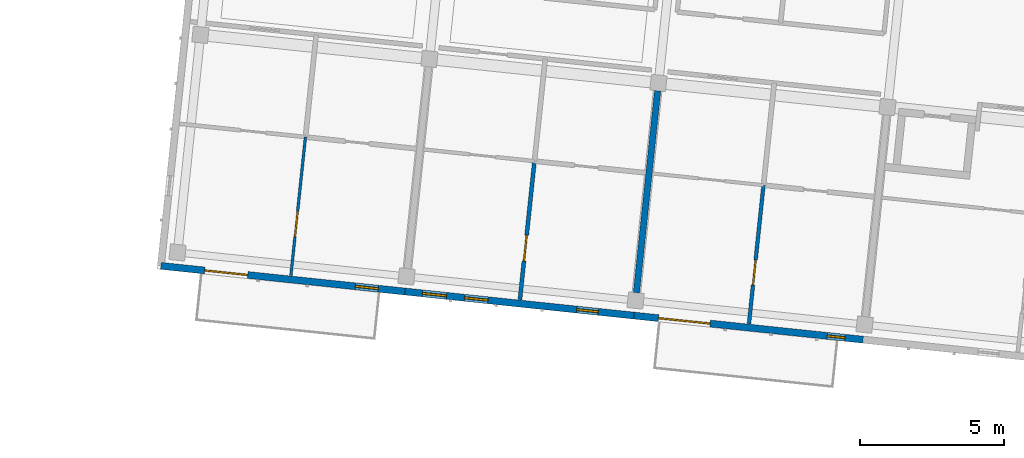
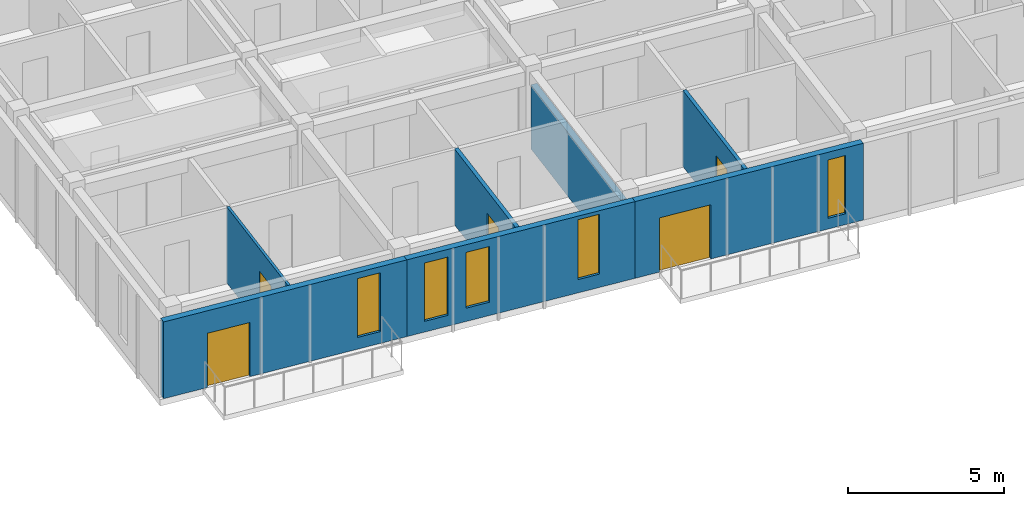
# One storey, part 30 of 66: 7 walls, 5 doors, 5 windows, 10 openings.
"""IFC4 building model written with IfcOpenShell, lengths in metres."""

import ifcopenshell
import ifcopenshell.guid

model = None  # the IFC model being written
_history = None  # IfcOwnerHistory: only IFC2X3 demands one
_inside = {}  # id of a spatial element -> (the spatial element, [elements in it])
_under = {}  # id of a project, library or spatial element -> (it, [spatial elements below it])
_declared = {}  # id of a project -> (the project, [libraries it declares])
_typed = {}  # id of a type object -> (the type object, [elements of that type])
_made_of = {}  # id of a material, layer set ... -> (it, [elements and type objects made of it])


def new_model(schema):
    """Start an empty IFC model of exactly this schema.

    Asked for "IFC4X3", IfcOpenShell would pick the latest addendum, in which some entities
    have other attributes; the version numbers below select the first issue.
    IFC2X3 requires an IfcOwnerHistory on every rooted entity: one is made here for all.
    """
    global model, _history
    if schema == "IFC4X3":
        model = ifcopenshell.file(schema_version=(4, 3, 0, 0))
    else:
        model = ifcopenshell.file(schema=schema)
    _inside.clear()
    _under.clear()
    _declared.clear()
    _typed.clear()
    _made_of.clear()
    _history = None
    if model.schema == "IFC2X3":
        org = make("IfcOrganization", Name="unknown")
        user = make(
            "IfcPersonAndOrganization",
            ThePerson=make("IfcPerson", FamilyName="unknown"),
            TheOrganization=org,
        )
        app = make(
            "IfcApplication",
            ApplicationDeveloper=org,
            Version="unknown",
            ApplicationFullName="unknown",
            ApplicationIdentifier="unknown",
        )
        _history = make(
            "IfcOwnerHistory",
            OwningUser=user,
            OwningApplication=app,
            ChangeAction="ADDED",
            CreationDate=0,
        )
    return model


def make(cls, **values):
    """One entity of the class cls with the attributes given. An attribute that is None is left unset."""
    return model.create_entity(
        cls, **{name: value for name, value in values.items() if value is not None}
    )


def rooted(cls, **values):
    """An entity with a GlobalId (a new one), such as an element, a storey or a relation."""
    return make(cls, GlobalId=ifcopenshell.guid.new(), OwnerHistory=_history, **values)


def si_unit(unit_type, name, prefix=None):
    """IfcSIUnit, for example si_unit("LENGTHUNIT", "METRE", prefix="MILLI")."""
    return make("IfcSIUnit", UnitType=unit_type, Prefix=prefix, Name=name)


def assignment(units):
    """IfcUnitAssignment: the units of a project."""
    return None if units is None else make("IfcUnitAssignment", Units=units)


def point(xyz):
    """IfcCartesianPoint."""
    return None if xyz is None else make("IfcCartesianPoint", Coordinates=xyz)


def direction(xyz):
    """IfcDirection."""
    return None if xyz is None else make("IfcDirection", DirectionRatios=xyz)


def frame(location, z_axis=None, x_axis=None):
    """IfcAxis2Placement3D, a coordinate frame: its origin and axes. An axis left out is left unset."""
    return make(
        "IfcAxis2Placement3D",
        Location=point(location),
        Axis=direction(z_axis),
        RefDirection=direction(x_axis),
    )


def frame_2d(location, x_axis=None):
    """IfcAxis2Placement2D, a coordinate frame in the plane: its origin and x axis."""
    return make(
        "IfcAxis2Placement2D", Location=point(location), RefDirection=direction(x_axis)
    )


def origin():
    """The frame at (0, 0, 0) with its axes left unset."""
    return frame((0.0, 0.0, 0.0))


def place(relative_to, where):
    """IfcLocalPlacement: puts the frame where relative to a parent placement (None: the world)."""
    return make(
        "IfcLocalPlacement", PlacementRelTo=relative_to, RelativePlacement=where
    )


def context(
    kind, dimensions, precision=None, world=None, true_north=None, identifier=None
):
    """IfcGeometricRepresentationContext, for example the 3D "Model" context."""
    return make(
        "IfcGeometricRepresentationContext",
        ContextIdentifier=identifier,
        ContextType=kind,
        CoordinateSpaceDimension=dimensions,
        Precision=precision,
        WorldCoordinateSystem=world,
        TrueNorth=true_north,
    )


def subcontext(parent, identifier, kind, view, scale=None):
    """IfcGeometricRepresentationSubContext, for example "Body" below "Model"."""
    return make(
        "IfcGeometricRepresentationSubContext",
        ContextIdentifier=identifier,
        ContextType=kind,
        ParentContext=parent,
        TargetScale=scale,
        TargetView=view,
    )


def project(units=None, contexts=None):
    """IfcProject with its units and contexts."""
    return rooted(
        "IfcProject",
        Name="project",
        RepresentationContexts=contexts,
        UnitsInContext=assignment(units),
    )


def spatial(cls, under=None, at=None, **own):
    """A site, building, storey or space (cls), placed at a placement, below another one or the project."""
    s = rooted(cls, ObjectPlacement=at, **own)
    if under is not None:
        _under.setdefault(under.id(), (under, []))[1].append(s)
    return s


def profile(cls, at=None, kind="AREA", **sizes):
    """A parametric profile (cls). Its sizes go by their IFC names, for example OverallWidth=200.0."""
    return make(cls, ProfileType=kind, Position=at, **sizes)


def rectangle(**sizes):
    """IfcRectangleProfileDef."""
    return profile("IfcRectangleProfileDef", **sizes)


def extrude(swept, where, along, depth):
    """IfcExtrudedAreaSolid: the profile swept, set in the frame where, extruded along a direction by depth."""
    return make(
        "IfcExtrudedAreaSolid",
        SweptArea=swept,
        Position=where,
        ExtrudedDirection=direction(along),
        Depth=depth,
    )


def shape(context_of_items, identifier, shape_type, items):
    """IfcShapeRepresentation: the items that make up one representation, for example the "Body"."""
    return make(
        "IfcShapeRepresentation",
        ContextOfItems=context_of_items,
        RepresentationIdentifier=identifier,
        RepresentationType=shape_type,
        Items=items,
    )


def material(Name=None, Category=None):
    """IfcMaterial."""
    return make("IfcMaterial", Name=Name, Category=Category)


def layer(
    of_material, thickness, ventilated=None, Name=None, Category=None, Priority=None
):
    """IfcMaterialLayer: one layer of a wall or slab, of a material (None: an air gap)."""
    return make(
        "IfcMaterialLayer",
        Material=of_material,
        LayerThickness=thickness,
        IsVentilated=ventilated,
        Name=Name,
        Category=Category,
        Priority=Priority,
    )


def layer_set(layers, Name=None):
    """IfcMaterialLayerSet."""
    return make("IfcMaterialLayerSet", MaterialLayers=layers, LayerSetName=Name)


def made_of(thing, what):
    """Note that an element or type object is made of a material, layer set ...; save() writes the relation."""
    if what is not None:
        _made_of.setdefault(what.id(), (what, []))[1].append(thing)
    return thing


def type_object(cls, material=None, **own):
    """A type object (cls), such as IfcWallType, which elements share."""
    return made_of(rooted(cls, **own), material)


def element(
    cls,
    number,
    at=None,
    inside=None,
    cuts=None,
    type_object=None,
    material=None,
    context=None,
    identifier="Body",
    shape_type=None,
    held_by="IfcProductDefinitionShape",
    body=None,
    shapes=None,
    **own,
):
    """One element of the class cls, such as IfcWall. Its Tag is "e" and its number.

    at: its placement. inside: the storey or other place that contains it. cuts: it is an
    opening in that element (IfcRelVoidsElement). A single representation is given by context,
    identifier, shape_type and body (its items); several are given by shapes. held_by: the class
    of the entity that holds the representations. save() writes the other relations.
    """
    e = rooted(cls, Tag="e%d" % number, ObjectPlacement=at, **own)
    if body is not None:
        shapes = [shape(context, identifier, shape_type, body)]
    if shapes is not None:
        e.Representation = make(held_by, Representations=shapes)
    if inside is not None:
        _inside.setdefault(inside.id(), (inside, []))[1].append(e)
    if cuts is not None:
        rooted(
            "IfcRelVoidsElement", RelatingBuildingElement=cuts, RelatedOpeningElement=e
        )
    if type_object is not None:
        _typed.setdefault(type_object.id(), (type_object, []))[1].append(e)
    return made_of(e, material)


def fill(opening, filler):
    """IfcRelFillsElement: the door or window that sits in an opening."""
    return rooted(
        "IfcRelFillsElement",
        RelatingOpeningElement=opening,
        RelatedBuildingElement=filler,
    )


def aggregate(whole, parts):
    """IfcRelAggregates: a whole, such as a stair, and the parts it consists of."""
    return rooted("IfcRelAggregates", RelatingObject=whole, RelatedObjects=parts)


def save(model, path):
    """Write the relations noted so far, then the file.

    IfcRelAggregates (storeys below a building ...), IfcRelContainedInSpatialStructure (elements
    in a storey), IfcRelDefinesByType, IfcRelAssociatesMaterial and IfcRelDeclares: one each for
    every whole, place, type object, material and project.
    """
    for whole, parts in _under.values():
        aggregate(whole, parts)
    for where, things in _inside.values():
        rooted(
            "IfcRelContainedInSpatialStructure",
            RelatedElements=things,
            RelatingStructure=where,
        )
    for kind, things in _typed.values():
        rooted("IfcRelDefinesByType", RelatedObjects=things, RelatingType=kind)
    for what, things in _made_of.values():
        rooted("IfcRelAssociatesMaterial", RelatedObjects=things, RelatingMaterial=what)
    for by, libraries in _declared.values():
        rooted("IfcRelDeclares", RelatingContext=by, RelatedDefinitions=libraries)
    model.write(path)


model = new_model("IFC4")

# Units and contexts
model_context = context("Model", 3, precision=1e-05, world=origin(), true_north=direction((0.0, 1.0)))
body_context = subcontext(model_context, "Body", "Model", "MODEL_VIEW")
ifc_project = project(units=[si_unit("LENGTHUNIT", "METRE"), si_unit("AREAUNIT", "SQUARE_METRE"), si_unit("VOLUMEUNIT", "CUBIC_METRE"), si_unit("PLANEANGLEUNIT", "RADIAN"), si_unit("MASSUNIT", "GRAM", prefix="KILO")], contexts=[model_context])

# Site, building, storey
site_placement = place(None, origin())
site = spatial("IfcSite", under=ifc_project, at=site_placement, CompositionType="ELEMENT")
building_placement = place(site_placement, origin())
building = spatial("IfcBuilding", under=site, at=building_placement, Name="Kestramere Prow Commons", CompositionType="ELEMENT")
storey_placement = place(building_placement, frame((0.0, 0.0, 14.89990234375)))
storey = spatial("IfcBuildingStorey", under=building, at=storey_placement, Name="L04", CompositionType="ELEMENT", Elevation=14.89990234375)

# Wall, openings, door, window
ifc_material_1 = material(Name="Fluoropolymer Standing-Seam Zinc-Aluminium Cladding", Category="aluminium")
ifc_layer_1 = layer(ifc_material_1, 0.239990234375)
ifc_layer_set_1 = layer_set([ifc_layer_1], Name="Fluoropolymer Standing-Seam Zinc-Aluminium Cladding")
wall_type_1 = type_object("IfcWallType", Name="EW-SEAM-240", PredefinedType="SOLIDWALL", material=ifc_layer_set_1)
wall_1_placement = place(storey_placement, frame((117.9013671875, 93.441650390625, 0.0), z_axis=(0.0, 0.0, 1.0), x_axis=(-0.994521760736, 0.104529744196, 0.0)))
wall_1 = element("IfcWall", 1, at=wall_1_placement, inside=storey, type_object=wall_type_1, Name="Block B L04 South Standing-Seam Wall 1", PredefinedType="SOLIDWALL", context=body_context, shape_type="SweptSolid", body=[
    extrude(rectangle(XDim=8.52490234375, YDim=0.239990234375, at=frame_2d((4.262451171875, 0.0))), origin(), (0.0, 0.0, 1.0), 3.0),
])
opening_1_placement = place(wall_1_placement, frame((5.4951171875, 0.0, 0.0)))
opening_1 = element("IfcOpeningElement", 2, at=opening_1_placement, cuts=wall_1, Name="Opening GD-BAL-01", PredefinedType="OPENING", context=body_context, shape_type="SweptSolid", body=[
    extrude(rectangle(XDim=1.5, YDim=2.1201171875, at=frame_2d((0.75, 1.06005859375))), frame((0.0, 0.135009765625, 0.0), z_axis=(0.0, -1.0, 0.0), x_axis=(1.0, 0.0, 0.0)), (0.0, 0.0, 1.0), 0.27001953125),
])
opening_2_placement = place(wall_1_placement, frame((0.929931640625, 0.0, 0.4599609375)))
opening_2 = element("IfcOpeningElement", 3, at=opening_2_placement, cuts=wall_1, Name="Opening WN-12", PredefinedType="OPENING", context=body_context, shape_type="SweptSolid", body=[
    extrude(rectangle(XDim=0.800048828125, YDim=2.300048828125, at=frame_2d((0.39990234375, 1.14990234375))), frame((0.0, 0.135009765625, 0.0), z_axis=(0.0, -1.0, 0.0), x_axis=(1.0, 0.0, 0.0)), (0.0, 0.0, 1.0), 0.27001953125),
])
ifc_material_2 = material(Name="Thermally-Broken Anodised Aluminium Glazed", Category="aluminium")
door_type_1 = type_object("IfcDoorType", Name="GD-BAL-1500", OperationType="SLIDING_TO_RIGHT", PredefinedType="DOOR", material=ifc_material_2)
door_1_placement = place(opening_1_placement, origin())
door_1 = element("IfcDoor", 4, at=door_1_placement, inside=storey, type_object=door_type_1, Name="Block B L04 Balcony Door 1", OperationType="SLIDING_TO_RIGHT", OverallHeight=2.1201171875, OverallWidth=1.5, PredefinedType="DOOR", context=body_context, shape_type="SweptSolid", body=[
    extrude(rectangle(XDim=1.5, YDim=2.1201171875, at=frame_2d((0.75, 1.06005859375))), frame((0.0, 0.02490234375, 0.0), z_axis=(0.0, -1.0, 0.0), x_axis=(1.0, 0.0, 0.0)), (0.0, 0.0, 1.0), 0.050048828125),
])
fill(opening_1, door_1)
ifc_material_3 = material(Name="Low-E Laminated Double Glazing", Category="glass")
window_type_1 = type_object("IfcWindowType", Name="WN-NAR-800A", PartitioningType="SINGLE_PANEL", PredefinedType="WINDOW", material=ifc_material_3)
window_1_placement = place(opening_2_placement, origin())
window_1 = element("IfcWindow", 5, at=window_1_placement, inside=storey, type_object=window_type_1, Name="WN-B-L04-SR-0", OverallHeight=2.300048828125, OverallWidth=0.800048828125, PartitioningType="SINGLE_PANEL", PredefinedType="WINDOW", context=body_context, shape_type="SweptSolid", body=[
    extrude(rectangle(XDim=0.800048828125, YDim=2.300048828125, at=frame_2d((0.39990234375, 1.14990234375))), frame((0.0, 0.030029296875, 0.0), z_axis=(0.0, -1.0, 0.0), x_axis=(1.0, 0.0, 0.0)), (0.0, 0.0, 1.0), 0.06005859375),
])
fill(opening_2, window_1)

# Wall, openings, windows
wall_2_placement = place(storey_placement, frame((125.857421875, 92.60546875, 0.0), z_axis=(0.0, 0.0, 1.0), x_axis=(-0.994522329422, 0.104524333444, 0.0)))
wall_2 = element("IfcWall", 6, at=wall_2_placement, inside=storey, type_object=wall_type_1, Name="Block B L04 South Standing-Seam Wall 2", PredefinedType="SOLIDWALL", context=body_context, shape_type="SweptSolid", body=[
    extrude(rectangle(XDim=7.999755859375, YDim=0.239990234375, at=frame_2d((4.0, 0.0))), origin(), (0.0, 0.0, 1.0), 3.0),
])
opening_3_placement = place(wall_2_placement, frame((1.242919921875, 0.0, 0.52001953125)))
opening_3 = element("IfcOpeningElement", 7, at=opening_3_placement, cuts=wall_2, Name="Opening WN-10", PredefinedType="OPENING", context=body_context, shape_type="SweptSolid", body=[
    extrude(rectangle(XDim=0.760009765625, YDim=2.340087890625, at=frame_2d((0.3798828125, 1.169921875))), frame((0.0, 0.135009765625, 0.0), z_axis=(0.0, -1.0, 0.0), x_axis=(1.0, 0.0, 0.0)), (0.0, 0.0, 1.0), 0.27001953125),
])
opening_4_placement = place(wall_2_placement, frame((5.10009765625, 0.0, 0.52001953125)))
opening_4 = element("IfcOpeningElement", 8, at=opening_4_placement, cuts=wall_2, Name="Opening WN-13", PredefinedType="OPENING", context=body_context, shape_type="SweptSolid", body=[
    extrude(rectangle(XDim=0.820068359375, YDim=2.179931640625, at=frame_2d((0.41015625, 1.08984375))), frame((0.0, 0.135009765625, 0.0), z_axis=(0.0, -1.0, 0.0), x_axis=(1.0, 0.0, 0.0)), (0.0, 0.0, 1.0), 0.27001953125),
])
opening_5_placement = place(wall_2_placement, frame((6.550048828125, 0.0, 0.419921875)))
opening_5 = element("IfcOpeningElement", 9, at=opening_5_placement, cuts=wall_2, Name="Opening WN-14", PredefinedType="OPENING", context=body_context, shape_type="SweptSolid", body=[
    extrude(rectangle(XDim=0.840087890625, YDim=2.280029296875, at=frame_2d((0.419921875, 1.14013671875))), frame((0.0, 0.135009765625, 0.0), z_axis=(0.0, -1.0, 0.0), x_axis=(1.0, 0.0, 0.0)), (0.0, 0.0, 1.0), 0.27001953125),
])
window_type_2 = type_object("IfcWindowType", Name="WN-NAR-760A", PartitioningType="SINGLE_PANEL", PredefinedType="WINDOW", material=ifc_material_3)
window_2_placement = place(opening_3_placement, origin())
window_2 = element("IfcWindow", 10, at=window_2_placement, inside=storey, type_object=window_type_2, Name="WN-B-L04-S-1-00", OverallHeight=2.340087890625, OverallWidth=0.760009765625, PartitioningType="SINGLE_PANEL", PredefinedType="WINDOW", context=body_context, shape_type="SweptSolid", body=[
    extrude(rectangle(XDim=0.760009765625, YDim=2.340087890625, at=frame_2d((0.3798828125, 1.169921875))), frame((0.0, 0.030029296875, 0.0), z_axis=(0.0, -1.0, 0.0), x_axis=(1.0, 0.0, 0.0)), (0.0, 0.0, 1.0), 0.06005859375),
])
fill(opening_3, window_2)
window_type_3 = type_object("IfcWindowType", Name="WN-NAR-820A", PartitioningType="DOUBLE_PANEL_VERTICAL", PredefinedType="WINDOW", material=ifc_material_3)
window_3_placement = place(opening_4_placement, origin())
window_3 = element("IfcWindow", 11, at=window_3_placement, inside=storey, type_object=window_type_3, Name="WN-B-L04-S-1-10", OverallHeight=2.179931640625, OverallWidth=0.820068359375, PartitioningType="SINGLE_PANEL", PredefinedType="WINDOW", context=body_context, shape_type="SweptSolid", body=[
    extrude(rectangle(XDim=0.820068359375, YDim=2.179931640625, at=frame_2d((0.41015625, 1.08984375))), frame((0.0, 0.030029296875, 0.0), z_axis=(0.0, -1.0, 0.0), x_axis=(1.0, 0.0, 0.0)), (0.0, 0.0, 1.0), 0.06005859375),
])
fill(opening_4, window_3)
window_type_4 = type_object("IfcWindowType", Name="WN-NAR-840A", PartitioningType="DOUBLE_PANEL_VERTICAL", PredefinedType="WINDOW", material=ifc_material_3)
window_4_placement = place(opening_5_placement, origin())
window_4 = element("IfcWindow", 12, at=window_4_placement, inside=storey, type_object=window_type_4, Name="WN-B-L04-S-1-11", OverallHeight=2.280029296875, OverallWidth=0.840087890625, PartitioningType="SINGLE_PANEL", PredefinedType="WINDOW", context=body_context, shape_type="SweptSolid", body=[
    extrude(rectangle(XDim=0.840087890625, YDim=2.280029296875, at=frame_2d((0.419921875, 1.14013671875))), frame((0.0, 0.030029296875, 0.0), z_axis=(0.0, -1.0, 0.0), x_axis=(1.0, 0.0, 0.0)), (0.0, 0.0, 1.0), 0.06005859375),
])
fill(opening_5, window_4)

# Wall, openings, door, window
wall_3_placement = place(storey_placement, frame((133.813720703125, 91.769287109375, 0.0), z_axis=(0.0, 0.0, 1.0), x_axis=(-0.994522662826, 0.104521161134, 0.0)))
wall_3 = element("IfcWall", 13, at=wall_3_placement, inside=storey, type_object=wall_type_1, Name="Block B L04 South Standing-Seam Wall 3", PredefinedType="SOLIDWALL", context=body_context, shape_type="SweptSolid", body=[
    extrude(rectangle(XDim=8.0, YDim=0.239990234375, at=frame_2d((4.0, 0.0))), origin(), (0.0, 0.0, 1.0), 3.0),
])
opening_6_placement = place(wall_3_placement, frame((5.344970703125, 0.0, 0.0)))
opening_6 = element("IfcOpeningElement", 14, at=opening_6_placement, cuts=wall_3, Name="Opening GD-BAL-02", PredefinedType="OPENING", context=body_context, shape_type="SweptSolid", body=[
    extrude(rectangle(XDim=1.800048828125, YDim=2.1201171875, at=frame_2d((0.89990234375, 1.06005859375))), frame((0.0, 0.135009765625, 0.0), z_axis=(0.0, -1.0, 0.0), x_axis=(1.0, 0.0, 0.0)), (0.0, 0.0, 1.0), 0.27001953125),
])
opening_7_placement = place(wall_3_placement, frame((0.6298828125, 0.0, 0.419921875)))
opening_7 = element("IfcOpeningElement", 15, at=opening_7_placement, cuts=wall_3, Name="Opening WN-03", PredefinedType="OPENING", context=body_context, shape_type="SweptSolid", body=[
    extrude(rectangle(XDim=0.6201171875, YDim=2.280029296875, at=frame_2d((0.31005859375, 1.14013671875))), frame((0.0, 0.135009765625, 0.0), z_axis=(0.0, -1.0, 0.0), x_axis=(1.0, 0.0, 0.0)), (0.0, 0.0, 1.0), 0.27001953125),
])
door_type_2 = type_object("IfcDoorType", Name="GD-BAL-1800", OperationType="SLIDING_TO_LEFT", PredefinedType="DOOR", material=ifc_material_2)
door_2_placement = place(opening_6_placement, origin())
door_2 = element("IfcDoor", 16, at=door_2_placement, inside=storey, type_object=door_type_2, Name="Block B L04 Balcony Door 3", OperationType="SLIDING_TO_LEFT", OverallHeight=2.1201171875, OverallWidth=1.800048828125, PredefinedType="DOOR", context=body_context, shape_type="SweptSolid", body=[
    extrude(rectangle(XDim=1.800048828125, YDim=2.1201171875, at=frame_2d((0.89990234375, 1.06005859375))), frame((0.0, 0.02490234375, 0.0), z_axis=(0.0, -1.0, 0.0), x_axis=(1.0, 0.0, 0.0)), (0.0, 0.0, 1.0), 0.050048828125),
])
fill(opening_6, door_2)
window_type_5 = type_object("IfcWindowType", Name="WN-NAR-620A", PartitioningType="SINGLE_PANEL", PredefinedType="WINDOW", material=ifc_material_3)
window_5_placement = place(opening_7_placement, origin())
window_5 = element("IfcWindow", 17, at=window_5_placement, inside=storey, type_object=window_type_5, Name="WN-B-L04-SR-2", OverallHeight=2.280029296875, OverallWidth=0.6201171875, PartitioningType="SINGLE_PANEL", PredefinedType="WINDOW", context=body_context, shape_type="SweptSolid", body=[
    extrude(rectangle(XDim=0.6201171875, YDim=2.280029296875, at=frame_2d((0.31005859375, 1.14013671875))), frame((0.0, 0.030029296875, 0.0), z_axis=(0.0, -1.0, 0.0), x_axis=(1.0, 0.0, 0.0)), (0.0, 0.0, 1.0), 0.06005859375),
])
fill(opening_7, window_5)

# Wall, opening, door
ifc_material_4 = material(Name="Lightweight Blockwork and Plaster", Category="masonry")
ifc_layer_2 = layer(ifc_material_4, 0.1298828125)
ifc_layer_set_2 = layer_set([ifc_layer_2], Name="Lightweight Blockwork and Plaster")
wall_type_2 = type_object("IfcWallType", Name="W-PART-130", PredefinedType="PARTITIONING", material=ifc_layer_set_2)
wall_4_placement = place(storey_placement, frame((129.849609375, 92.321533203125, 0.0), z_axis=(0.0, 0.0, 1.0), x_axis=(0.104516733692, 0.994523128126, 0.0)))
wall_4 = element("IfcWall", 18, at=wall_4_placement, inside=storey, type_object=wall_type_2, Name="Interior Partition PW-B-L04-LB-S2", PredefinedType="PARTITIONING", context=body_context, shape_type="SweptSolid", body=[
    extrude(rectangle(XDim=4.840087890625, YDim=0.1298828125, at=frame_2d((2.419921875, 0.0))), origin(), (0.0, 0.0, 1.0), 2.97021484375),
])
opening_8_placement = place(wall_4_placement, frame((1.35009765625, 0.0, 0.0)))
opening_8 = element("IfcOpeningElement", 19, at=opening_8_placement, cuts=wall_4, Name="Opening ID-10", PredefinedType="OPENING", context=body_context, shape_type="SweptSolid", body=[
    extrude(rectangle(XDim=0.8798828125, YDim=2.10009765625, at=frame_2d((0.43994140625, 1.050048828125))), frame((0.0, 0.079833984375, 0.0), z_axis=(0.0, -1.0, 0.0), x_axis=(1.0, 0.0, 0.0)), (0.0, 0.0, 1.0), 0.159912109375),
])
ifc_material_5 = material(Name="Engineered Timber Bedroom Door", Category="wood")
door_type_3 = type_object("IfcDoorType", Name="D-RM-03", OperationType="NOTDEFINED", PredefinedType="DOOR", material=ifc_material_5)
door_3_placement = place(opening_8_placement, origin())
door_3 = element("IfcDoor", 20, at=door_3_placement, inside=storey, type_object=door_type_3, Name="Interior Door DR-B-L04-BED-S2", OperationType="SINGLE_SWING_LEFT", OverallHeight=2.10009765625, OverallWidth=0.8798828125, PredefinedType="DOOR", context=body_context, shape_type="SweptSolid", body=[
    extrude(rectangle(XDim=0.8798828125, YDim=2.10009765625, at=frame_2d((0.43994140625, 1.050048828125))), frame((0.0, 0.02490234375, 0.0), z_axis=(0.0, -1.0, 0.0), x_axis=(1.0, 0.0, 0.0)), (0.0, 0.0, 1.0), 0.050048828125),
])
fill(opening_8, door_3)

ifc_material_6 = material(Name="Masonry Compartment Wall", Category="masonry")
ifc_layer_3 = layer(ifc_material_6, 0.139892578125)
ifc_layer_set_3 = layer_set([ifc_layer_3], Name="Masonry Compartment Wall")
wall_type_3 = type_object("IfcWallType", Name="W-PART-140", PredefinedType="PARTITIONING", material=ifc_layer_set_3)
wall_5_placement = place(storey_placement, frame((121.8935546875, 93.15771484375, 0.0), z_axis=(0.0, 0.0, 1.0), x_axis=(0.104516733692, 0.994523128126, 0.0)))
wall_5 = element("IfcWall", 21, at=wall_5_placement, inside=storey, type_object=wall_type_3, Name="Interior Partition PW-B-L04-LB-S1", PredefinedType="PARTITIONING", context=body_context, shape_type="SweptSolid", body=[
    extrude(rectangle(XDim=4.840087890625, YDim=0.139892578125, at=frame_2d((2.419921875, 0.0))), origin(), (0.0, 0.0, 1.0), 2.97021484375),
])
opening_9_placement = place(wall_5_placement, frame((1.35009765625, 0.0, 0.0)))
opening_9 = element("IfcOpeningElement", 22, at=opening_9_placement, cuts=wall_5, Name="Opening ID-08", PredefinedType="OPENING", context=body_context, shape_type="SweptSolid", body=[
    extrude(rectangle(XDim=0.89990234375, YDim=2.10009765625, at=frame_2d((0.449951171875, 1.050048828125))), frame((0.0, 0.0849609375, 0.0), z_axis=(0.0, -1.0, 0.0), x_axis=(1.0, 0.0, 0.0)), (0.0, 0.0, 1.0), 0.169921875),
])
ifc_material_7 = material(Name="Engineered Timber Flush Door", Category="wood")
door_type_4 = type_object("IfcDoorType", Name="D-RM-01", OperationType="NOTDEFINED", PredefinedType="DOOR", material=ifc_material_7)
door_4_placement = place(opening_9_placement, origin())
door_4 = element("IfcDoor", 23, at=door_4_placement, inside=storey, type_object=door_type_4, Name="Interior Door DR-B-L04-BED-S1", OperationType="SINGLE_SWING_RIGHT", OverallHeight=2.10009765625, OverallWidth=0.89990234375, PredefinedType="DOOR", context=body_context, shape_type="SweptSolid", body=[
    extrude(rectangle(XDim=0.89990234375, YDim=2.10009765625, at=frame_2d((0.449951171875, 1.050048828125))), frame((0.0, 0.02490234375, 0.0), z_axis=(0.0, -1.0, 0.0), x_axis=(1.0, 0.0, 0.0)), (0.0, 0.0, 1.0), 0.050048828125),
])
fill(opening_9, door_4)

ifc_material_8 = material(Name="Gypsum Acoustic Drywall")
ifc_layer_4 = layer(ifc_material_8, 0.094970703125)
ifc_layer_set_4 = layer_set([ifc_layer_4], Name="Gypsum Acoustic Drywall")
wall_type_4 = type_object("IfcWallType", Name="W-PART-95", PredefinedType="PARTITIONING", material=ifc_layer_set_4)
wall_6_placement = place(storey_placement, frame((113.937255859375, 93.994140625, 0.0), z_axis=(0.0, 0.0, 1.0), x_axis=(0.104566624716, 0.994517883698, 0.0)))
wall_6 = element("IfcWall", 24, at=wall_6_placement, inside=storey, type_object=wall_type_4, Name="Interior Partition PW-B-L04-LB-S0", PredefinedType="PARTITIONING", context=body_context, shape_type="SweptSolid", body=[
    extrude(rectangle(XDim=4.840087890625, YDim=0.094970703125, at=frame_2d((2.419921875, 0.0))), origin(), (0.0, 0.0, 1.0), 2.97021484375),
])
opening_10_placement = place(wall_6_placement, frame((1.35009765625, 0.0, 0.0)))
opening_10 = element("IfcOpeningElement", 25, at=opening_10_placement, cuts=wall_6, Name="Opening ID-08", PredefinedType="OPENING", context=body_context, shape_type="SweptSolid", body=[
    extrude(rectangle(XDim=0.89990234375, YDim=2.10009765625, at=frame_2d((0.449951171875, 1.050048828125))), frame((0.0, 0.0625, 0.0), z_axis=(0.0, -1.0, 0.0), x_axis=(1.0, 0.0, 0.0)), (0.0, 0.0, 1.0), 0.125),
])
door_5_placement = place(opening_10_placement, origin())
door_5 = element("IfcDoor", 26, at=door_5_placement, inside=storey, type_object=door_type_4, Name="Interior Door DR-B-L04-BED-S0", OperationType="SINGLE_SWING_LEFT", OverallHeight=2.10009765625, OverallWidth=0.89990234375, PredefinedType="DOOR", context=body_context, shape_type="SweptSolid", body=[
    extrude(rectangle(XDim=0.89990234375, YDim=2.10009765625, at=frame_2d((0.449951171875, 1.050048828125))), frame((0.0, 0.02490234375, 0.0), z_axis=(0.0, -1.0, 0.0), x_axis=(1.0, 0.0, 0.0)), (0.0, 0.0, 1.0), 0.050048828125),
])
fill(opening_10, door_5)

# Wall
ifc_material_9 = material(Name="Precast concrete C40/50", Category="concrete")
ifc_layer_5 = layer(ifc_material_9, 0.219970703125)
ifc_layer_set_5 = layer_set([ifc_layer_5], Name="Precast concrete C40/50")
wall_type_5 = type_object("IfcWallType", Name="W-XWALL-220", PredefinedType="SHEAR", material=ifc_layer_set_5)
wall_7_placement = place(storey_placement, frame((125.941162109375, 93.401123046875, 0.0), z_axis=(0.0, 0.0, 1.0), x_axis=(0.104515329964, 0.994523275646, 0.0)))
element("IfcWall", 27, at=wall_7_placement, inside=storey, type_object=wall_type_5, Name="Block B L04 Precast Cross-Wall 2", PredefinedType="SHEAR", context=body_context, shape_type="SweptSolid", body=[
    extrude(rectangle(XDim=7.0498046875, YDim=0.219970703125, at=frame_2d((3.52490234375, 0.0))), origin(), (0.0, 0.0, 1.0), 2.5),
])

save(model, "model.ifc")
